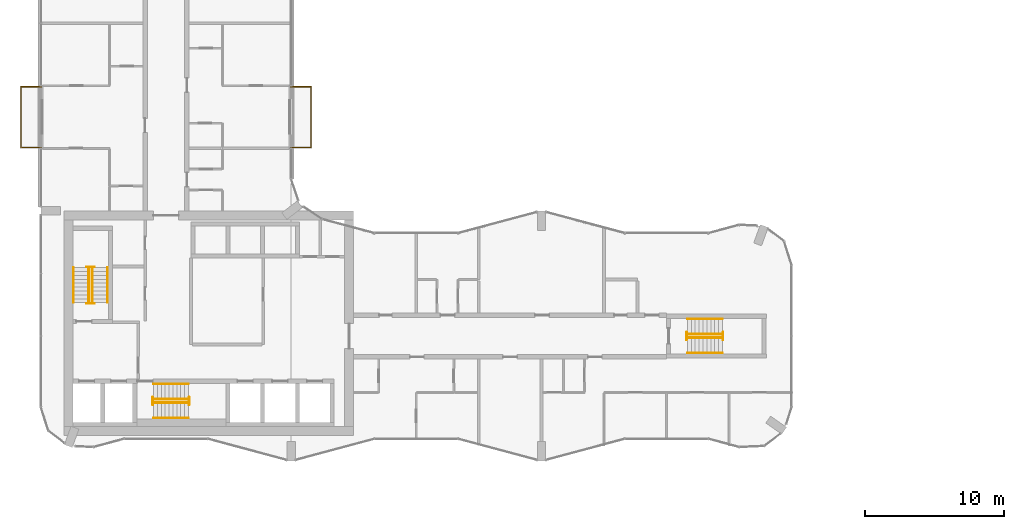
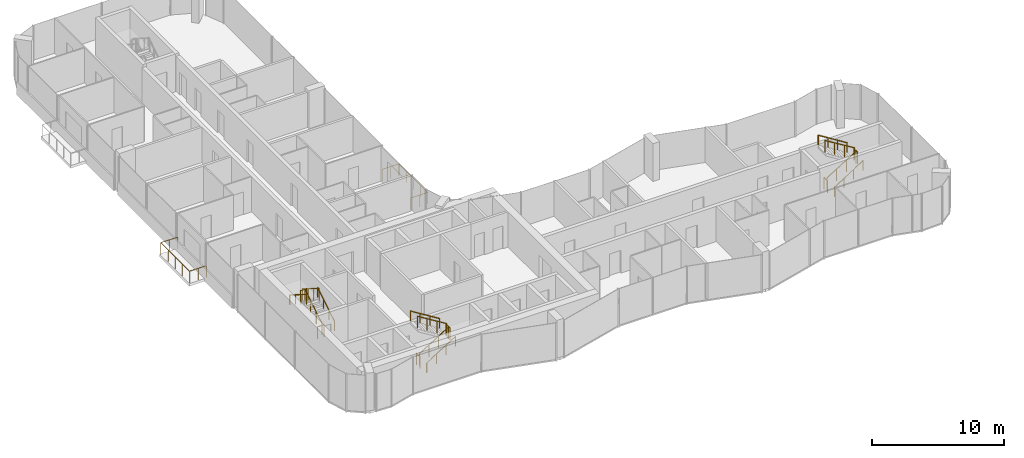
# One storey, part 20 of 22: 20 railings.
"""IFC4 building model written with IfcOpenShell, lengths in metres."""

import ifcopenshell
import ifcopenshell.guid

model = None  # the IFC model being written
_history = None  # IfcOwnerHistory: only IFC2X3 demands one
_inside = {}  # id of a spatial element -> (the spatial element, [elements in it])
_under = {}  # id of a project, library or spatial element -> (it, [spatial elements below it])
_declared = {}  # id of a project -> (the project, [libraries it declares])
_typed = {}  # id of a type object -> (the type object, [elements of that type])
_made_of = {}  # id of a material, layer set ... -> (it, [elements and type objects made of it])


def new_model(schema):
    """Start an empty IFC model of exactly this schema.

    Asked for "IFC4X3", IfcOpenShell would pick the latest addendum, in which some entities
    have other attributes; the version numbers below select the first issue.
    IFC2X3 requires an IfcOwnerHistory on every rooted entity: one is made here for all.
    """
    global model, _history
    if schema == "IFC4X3":
        model = ifcopenshell.file(schema_version=(4, 3, 0, 0))
    else:
        model = ifcopenshell.file(schema=schema)
    _inside.clear()
    _under.clear()
    _declared.clear()
    _typed.clear()
    _made_of.clear()
    _history = None
    if model.schema == "IFC2X3":
        org = make("IfcOrganization", Name="unknown")
        user = make(
            "IfcPersonAndOrganization",
            ThePerson=make("IfcPerson", FamilyName="unknown"),
            TheOrganization=org,
        )
        app = make(
            "IfcApplication",
            ApplicationDeveloper=org,
            Version="unknown",
            ApplicationFullName="unknown",
            ApplicationIdentifier="unknown",
        )
        _history = make(
            "IfcOwnerHistory",
            OwningUser=user,
            OwningApplication=app,
            ChangeAction="ADDED",
            CreationDate=0,
        )
    return model


def make(cls, **values):
    """One entity of the class cls with the attributes given. An attribute that is None is left unset."""
    return model.create_entity(
        cls, **{name: value for name, value in values.items() if value is not None}
    )


def rooted(cls, **values):
    """An entity with a GlobalId (a new one), such as an element, a storey or a relation."""
    return make(cls, GlobalId=ifcopenshell.guid.new(), OwnerHistory=_history, **values)


def si_unit(unit_type, name, prefix=None):
    """IfcSIUnit, for example si_unit("LENGTHUNIT", "METRE", prefix="MILLI")."""
    return make("IfcSIUnit", UnitType=unit_type, Prefix=prefix, Name=name)


def assignment(units):
    """IfcUnitAssignment: the units of a project."""
    return None if units is None else make("IfcUnitAssignment", Units=units)


def point(xyz):
    """IfcCartesianPoint."""
    return None if xyz is None else make("IfcCartesianPoint", Coordinates=xyz)


def direction(xyz):
    """IfcDirection."""
    return None if xyz is None else make("IfcDirection", DirectionRatios=xyz)


def frame(location, z_axis=None, x_axis=None):
    """IfcAxis2Placement3D, a coordinate frame: its origin and axes. An axis left out is left unset."""
    return make(
        "IfcAxis2Placement3D",
        Location=point(location),
        Axis=direction(z_axis),
        RefDirection=direction(x_axis),
    )


def frame_2d(location, x_axis=None):
    """IfcAxis2Placement2D, a coordinate frame in the plane: its origin and x axis."""
    return make(
        "IfcAxis2Placement2D", Location=point(location), RefDirection=direction(x_axis)
    )


def origin():
    """The frame at (0, 0, 0) with its axes left unset."""
    return frame((0.0, 0.0, 0.0))


def origin_2d():
    """The frame at (0, 0) in the plane with its x axis left unset."""
    return frame_2d((0.0, 0.0))


def place(relative_to, where):
    """IfcLocalPlacement: puts the frame where relative to a parent placement (None: the world)."""
    return make(
        "IfcLocalPlacement", PlacementRelTo=relative_to, RelativePlacement=where
    )


def context(
    kind, dimensions, precision=None, world=None, true_north=None, identifier=None
):
    """IfcGeometricRepresentationContext, for example the 3D "Model" context."""
    return make(
        "IfcGeometricRepresentationContext",
        ContextIdentifier=identifier,
        ContextType=kind,
        CoordinateSpaceDimension=dimensions,
        Precision=precision,
        WorldCoordinateSystem=world,
        TrueNorth=true_north,
    )


def subcontext(parent, identifier, kind, view, scale=None):
    """IfcGeometricRepresentationSubContext, for example "Body" below "Model"."""
    return make(
        "IfcGeometricRepresentationSubContext",
        ContextIdentifier=identifier,
        ContextType=kind,
        ParentContext=parent,
        TargetScale=scale,
        TargetView=view,
    )


def project(units=None, contexts=None):
    """IfcProject with its units and contexts."""
    return rooted(
        "IfcProject",
        Name="project",
        RepresentationContexts=contexts,
        UnitsInContext=assignment(units),
    )


def spatial(cls, under=None, at=None, **own):
    """A site, building, storey or space (cls), placed at a placement, below another one or the project."""
    s = rooted(cls, ObjectPlacement=at, **own)
    if under is not None:
        _under.setdefault(under.id(), (under, []))[1].append(s)
    return s


def profile(cls, at=None, kind="AREA", **sizes):
    """A parametric profile (cls). Its sizes go by their IFC names, for example OverallWidth=200.0."""
    return make(cls, ProfileType=kind, Position=at, **sizes)


def circle(**sizes):
    """IfcCircleProfileDef."""
    return profile("IfcCircleProfileDef", **sizes)


def extrude(swept, where, along, depth):
    """IfcExtrudedAreaSolid: the profile swept, set in the frame where, extruded along a direction by depth."""
    return make(
        "IfcExtrudedAreaSolid",
        SweptArea=swept,
        Position=where,
        ExtrudedDirection=direction(along),
        Depth=depth,
    )


def shape(context_of_items, identifier, shape_type, items):
    """IfcShapeRepresentation: the items that make up one representation, for example the "Body"."""
    return make(
        "IfcShapeRepresentation",
        ContextOfItems=context_of_items,
        RepresentationIdentifier=identifier,
        RepresentationType=shape_type,
        Items=items,
    )


def material(Name=None, Category=None):
    """IfcMaterial."""
    return make("IfcMaterial", Name=Name, Category=Category)


def made_of(thing, what):
    """Note that an element or type object is made of a material, layer set ...; save() writes the relation."""
    if what is not None:
        _made_of.setdefault(what.id(), (what, []))[1].append(thing)
    return thing


def type_object(cls, material=None, **own):
    """A type object (cls), such as IfcWallType, which elements share."""
    return made_of(rooted(cls, **own), material)


def element(
    cls,
    number,
    at=None,
    inside=None,
    cuts=None,
    type_object=None,
    material=None,
    context=None,
    identifier="Body",
    shape_type=None,
    held_by="IfcProductDefinitionShape",
    body=None,
    shapes=None,
    **own,
):
    """One element of the class cls, such as IfcWall. Its Tag is "e" and its number.

    at: its placement. inside: the storey or other place that contains it. cuts: it is an
    opening in that element (IfcRelVoidsElement). A single representation is given by context,
    identifier, shape_type and body (its items); several are given by shapes. held_by: the class
    of the entity that holds the representations. save() writes the other relations.
    """
    e = rooted(cls, Tag="e%d" % number, ObjectPlacement=at, **own)
    if body is not None:
        shapes = [shape(context, identifier, shape_type, body)]
    if shapes is not None:
        e.Representation = make(held_by, Representations=shapes)
    if inside is not None:
        _inside.setdefault(inside.id(), (inside, []))[1].append(e)
    if cuts is not None:
        rooted(
            "IfcRelVoidsElement", RelatingBuildingElement=cuts, RelatedOpeningElement=e
        )
    if type_object is not None:
        _typed.setdefault(type_object.id(), (type_object, []))[1].append(e)
    return made_of(e, material)


def aggregate(whole, parts):
    """IfcRelAggregates: a whole, such as a stair, and the parts it consists of."""
    return rooted("IfcRelAggregates", RelatingObject=whole, RelatedObjects=parts)


def save(model, path):
    """Write the relations noted so far, then the file.

    IfcRelAggregates (storeys below a building ...), IfcRelContainedInSpatialStructure (elements
    in a storey), IfcRelDefinesByType, IfcRelAssociatesMaterial and IfcRelDeclares: one each for
    every whole, place, type object, material and project.
    """
    for whole, parts in _under.values():
        aggregate(whole, parts)
    for where, things in _inside.values():
        rooted(
            "IfcRelContainedInSpatialStructure",
            RelatedElements=things,
            RelatingStructure=where,
        )
    for kind, things in _typed.values():
        rooted("IfcRelDefinesByType", RelatedObjects=things, RelatingType=kind)
    for what, things in _made_of.values():
        rooted("IfcRelAssociatesMaterial", RelatedObjects=things, RelatingMaterial=what)
    for by, libraries in _declared.values():
        rooted("IfcRelDeclares", RelatingContext=by, RelatedDefinitions=libraries)
    model.write(path)


model = new_model("IFC4")

# Units and contexts
model_context = context("Model", 3, precision=1e-05, world=origin(), true_north=direction((0.0, 1.0)))
body_context = subcontext(model_context, "Body", "Model", "MODEL_VIEW")
ifc_project = project(units=[si_unit("LENGTHUNIT", "METRE"), si_unit("AREAUNIT", "SQUARE_METRE"), si_unit("VOLUMEUNIT", "CUBIC_METRE"), si_unit("PLANEANGLEUNIT", "RADIAN"), si_unit("MASSUNIT", "GRAM", prefix="KILO")], contexts=[model_context])

# Site, building, storey
site_placement = place(None, origin())
site = spatial("IfcSite", under=ifc_project, at=site_placement, CompositionType="ELEMENT")
building_placement = place(site_placement, origin())
building = spatial("IfcBuilding", under=site, at=building_placement, Name="Plateau Cross Towers", CompositionType="ELEMENT")
storey_placement = place(building_placement, frame((0.0, 0.0, 113.300048828125)))
storey = spatial("IfcBuildingStorey", under=building, at=storey_placement, Name="L29", CompositionType="ELEMENT", Elevation=113.300048828125)

# Railings
ifc_material_1 = material(Name="Stainless steel and toughened glass", Category="steel")
railing_type_1 = type_object("IfcRailingType", Name="Glass balustrade guard 1100", PredefinedType="GUARDRAIL", material=ifc_material_1)
railing_1_placement = place(storey_placement, frame((0.050048828125, 22.570068359375, 0.0)))
element("IfcRailing", 1, at=railing_1_placement, inside=storey, type_object=railing_type_1, Name="Guard guard1", PredefinedType="GUARDRAIL", context=body_context, shape_type="SweptSolid", body=[
    extrude(circle(Radius=0.02392578125, at=origin_2d()), frame((0.0, 0.0, 1.076171875), z_axis=(-1.0, 0.0, 0.0), x_axis=(0.0, -1.0, 0.0)), (0.0, 0.0, 1.0), 1.47998046875),
    extrude(circle(Radius=0.02392578125, at=origin_2d()), frame((-1.47998046875, 0.0, 1.076171875), z_axis=(0.0, 1.0, 0.0), x_axis=(-1.0, 0.0, 0.0)), (0.0, 0.0, 1.0), 4.35986328125),
    extrude(circle(Radius=0.02392578125, at=origin_2d()), frame((-1.47998046875, 4.35986328125, 1.076171875), z_axis=(1.0, 0.0, 0.0), x_axis=(0.0, 1.0, 0.0)), (0.0, 0.0, 1.0), 1.47998046875),
    extrude(circle(Radius=0.02099609375, at=origin_2d()), origin(), (0.0, 0.0, 1.0), 1.052001953125),
    extrude(circle(Radius=0.02099609375, at=origin_2d()), frame((-0.739990234375, 0.0, 0.0)), (0.0, 0.0, 1.0), 1.052001953125),
    extrude(circle(Radius=0.02099609375, at=origin_2d()), frame((-1.47998046875, 0.0, 0.0)), (0.0, 0.0, 1.0), 1.052001953125),
    extrude(circle(Radius=0.02099609375, at=origin_2d()), frame((-1.47998046875, 1.08984375, 0.0)), (0.0, 0.0, 1.0), 1.052001953125),
    extrude(circle(Radius=0.02099609375, at=origin_2d()), frame((-1.47998046875, 2.179931640625, 0.0)), (0.0, 0.0, 1.0), 1.052001953125),
    extrude(circle(Radius=0.02099609375, at=origin_2d()), frame((-1.47998046875, 3.27001953125, 0.0)), (0.0, 0.0, 1.0), 1.052001953125),
    extrude(circle(Radius=0.02099609375, at=origin_2d()), frame((-1.47998046875, 4.35986328125, 0.0)), (0.0, 0.0, 1.0), 1.052001953125),
    extrude(circle(Radius=0.02099609375, at=origin_2d()), frame((-0.739990234375, 4.35986328125, 0.0)), (0.0, 0.0, 1.0), 1.052001953125),
    extrude(circle(Radius=0.02099609375, at=origin_2d()), frame((0.0, 4.35986328125, 0.0)), (0.0, 0.0, 1.0), 1.052001953125),
])
railing_2_placement = place(storey_placement, frame((17.949951171875, 26.929931640625, 0.0)))
element("IfcRailing", 2, at=railing_2_placement, inside=storey, type_object=railing_type_1, Name="Guard guard1", PredefinedType="GUARDRAIL", context=body_context, shape_type="SweptSolid", body=[
    extrude(circle(Radius=0.02392578125, at=origin_2d()), frame((0.0, 0.0, 1.076171875), z_axis=(1.0, 0.0, 0.0), x_axis=(0.0, 1.0, 0.0)), (0.0, 0.0, 1.0), 1.47998046875),
    extrude(circle(Radius=0.02392578125, at=origin_2d()), frame((1.47998046875, 0.0, 1.076171875), z_axis=(0.0, -1.0, 0.0), x_axis=(1.0, 0.0, 0.0)), (0.0, 0.0, 1.0), 4.35986328125),
    extrude(circle(Radius=0.02392578125, at=origin_2d()), frame((1.47998046875, -4.35986328125, 1.076171875), z_axis=(-1.0, 0.0, 0.0), x_axis=(0.0, -1.0, 0.0)), (0.0, 0.0, 1.0), 1.47998046875),
    extrude(circle(Radius=0.02099609375, at=origin_2d()), origin(), (0.0, 0.0, 1.0), 1.052001953125),
    extrude(circle(Radius=0.02099609375, at=origin_2d()), frame((0.739990234375, 0.0, 0.0)), (0.0, 0.0, 1.0), 1.052001953125),
    extrude(circle(Radius=0.02099609375, at=origin_2d()), frame((1.47998046875, 0.0, 0.0)), (0.0, 0.0, 1.0), 1.052001953125),
    extrude(circle(Radius=0.02099609375, at=origin_2d()), frame((1.47998046875, -1.08984375, 0.0)), (0.0, 0.0, 1.0), 1.052001953125),
    extrude(circle(Radius=0.02099609375, at=origin_2d()), frame((1.47998046875, -2.179931640625, 0.0)), (0.0, 0.0, 1.0), 1.052001953125),
    extrude(circle(Radius=0.02099609375, at=origin_2d()), frame((1.47998046875, -3.27001953125, 0.0)), (0.0, 0.0, 1.0), 1.052001953125),
    extrude(circle(Radius=0.02099609375, at=origin_2d()), frame((1.47998046875, -4.35986328125, 0.0)), (0.0, 0.0, 1.0), 1.052001953125),
    extrude(circle(Radius=0.02099609375, at=origin_2d()), frame((0.739990234375, -4.35986328125, 0.0)), (0.0, 0.0, 1.0), 1.052001953125),
    extrude(circle(Radius=0.02099609375, at=origin_2d()), frame((0.0, -4.35986328125, 0.0)), (0.0, 0.0, 1.0), 1.052001953125),
])
railing_type_2 = type_object("IfcRailingType", Name="RL-GUARD-1100", PredefinedType="GUARDRAIL", material=ifc_material_1)
railing_3_placement = place(storey_placement, frame((3.699951171875, 11.39990234375, 0.175048828125)))
element("IfcRailing", 3, at=railing_3_placement, inside=storey, type_object=railing_type_2, Name="L29 ST-1 stair guard 1", PredefinedType="GUARDRAIL", context=body_context, shape_type="SweptSolid", body=[
    extrude(circle(Radius=0.02392578125, at=origin_2d()), frame((0.0, 0.0, 1.076171875), z_axis=(0.0, 0.848007534815, 0.529984170421), x_axis=(-1.0, 0.0, 0.0)), (0.0, 0.0, 1.0), 2.9716796875),
    extrude(circle(Radius=0.02099609375, at=origin_2d()), origin(), (0.0, 0.0, 1.0), 1.052001953125),
    extrude(circle(Radius=0.02099609375, at=origin_2d()), frame((0.0, 0.840087890625, 0.52490234375)), (0.0, 0.0, 1.0), 1.052001953125),
    extrude(circle(Radius=0.02099609375, at=origin_2d()), frame((0.0, 1.679931640625, 1.050048828125)), (0.0, 0.0, 1.0), 1.052001953125),
    extrude(circle(Radius=0.02099609375, at=origin_2d()), frame((0.0, 2.52001953125, 1.574951171875)), (0.0, 0.0, 1.0), 1.052001953125),
])
railing_4_placement = place(storey_placement, frame((3.85009765625, 13.969970703125, 1.75)))
element("IfcRailing", 4, at=railing_4_placement, inside=storey, type_object=railing_type_2, Name="L29 ST-1 stair guard 2", PredefinedType="GUARDRAIL", context=body_context, shape_type="SweptSolid", body=[
    extrude(circle(Radius=0.02392578125, at=origin_2d()), frame((0.0, 0.0, 1.076171875), z_axis=(-1.0, 0.0, 0.0), x_axis=(0.0, -1.0, 0.0)), (0.0, 0.0, 1.0), 0.550048828125),
    extrude(circle(Radius=0.02099609375, at=origin_2d()), origin(), (0.0, 0.0, 1.0), 1.052001953125),
    extrude(circle(Radius=0.02099609375, at=origin_2d()), frame((-0.550048828125, 0.0, 0.0)), (0.0, 0.0, 1.0), 1.052001953125),
])
railing_5_placement = place(storey_placement, frame((3.449951171875, 13.919921875, 1.925048828125)))
element("IfcRailing", 5, at=railing_5_placement, inside=storey, type_object=railing_type_2, Name="L29 ST-1 stair guard 3", PredefinedType="GUARDRAIL", context=body_context, shape_type="SweptSolid", body=[
    extrude(circle(Radius=0.02392578125, at=origin_2d()), frame((0.0, 0.0, 1.076171875), z_axis=(0.0, -0.852616386126, 0.522537365276), x_axis=(1.0, 0.0, 0.0)), (0.0, 0.0, 1.0), 3.01416015625),
    extrude(circle(Radius=0.02099609375, at=origin_2d()), origin(), (0.0, 0.0, 1.0), 1.052001953125),
    extrude(circle(Radius=0.02099609375, at=origin_2d()), frame((0.0, -0.856689453125, 0.52490234375)), (0.0, 0.0, 1.0), 1.052001953125),
    extrude(circle(Radius=0.02099609375, at=origin_2d()), frame((0.0, -1.713134765625, 1.050048828125)), (0.0, 0.0, 1.0), 1.052001953125),
    extrude(circle(Radius=0.02099609375, at=origin_2d()), frame((0.0, -2.56982421875, 1.574951171875)), (0.0, 0.0, 1.0), 1.052001953125),
])
railing_6_placement = place(storey_placement, frame((3.85009765625, 11.35009765625, 0.0)))
element("IfcRailing", 6, at=railing_6_placement, inside=storey, type_object=railing_type_2, Name="L29 ST-1 stair guard 4", PredefinedType="GUARDRAIL", context=body_context, shape_type="SweptSolid", body=[
    extrude(circle(Radius=0.02392578125, at=origin_2d()), frame((0.0, 0.0, 1.076171875), z_axis=(-1.0, 0.0, 0.0), x_axis=(0.0, -1.0, 0.0)), (0.0, 0.0, 1.0), 0.550048828125),
    extrude(circle(Radius=0.02099609375, at=origin_2d()), origin(), (0.0, 0.0, 1.0), 1.052001953125),
    extrude(circle(Radius=0.02099609375, at=origin_2d()), frame((-0.550048828125, 0.0, 0.0)), (0.0, 0.0, 1.0), 1.052001953125),
])
railing_7_placement = place(storey_placement, frame((8.10009765625, 4.199951171875, 0.175048828125)))
element("IfcRailing", 7, at=railing_7_placement, inside=storey, type_object=railing_type_2, Name="L29 ST-2 stair guard 1", PredefinedType="GUARDRAIL", context=body_context, shape_type="SweptSolid", body=[
    extrude(circle(Radius=0.02392578125, at=origin_2d()), frame((0.0, 0.0, 1.076171875), z_axis=(0.848007534815, 0.0, 0.529984170421), x_axis=(0.0, 1.0, 0.0)), (0.0, 0.0, 1.0), 2.9716796875),
    extrude(circle(Radius=0.02099609375, at=origin_2d()), origin(), (0.0, 0.0, 1.0), 1.052001953125),
    extrude(circle(Radius=0.02099609375, at=origin_2d()), frame((0.840087890625, 0.0, 0.52490234375)), (0.0, 0.0, 1.0), 1.052001953125),
    extrude(circle(Radius=0.02099609375, at=origin_2d()), frame((1.679931640625, 0.0, 1.050048828125)), (0.0, 0.0, 1.0), 1.052001953125),
    extrude(circle(Radius=0.02099609375, at=origin_2d()), frame((2.52001953125, 0.0, 1.574951171875)), (0.0, 0.0, 1.0), 1.052001953125),
])
railing_8_placement = place(storey_placement, frame((10.669921875, 4.050048828125, 1.75)))
element("IfcRailing", 8, at=railing_8_placement, inside=storey, type_object=railing_type_2, Name="L29 ST-2 stair guard 2", PredefinedType="GUARDRAIL", context=body_context, shape_type="SweptSolid", body=[
    extrude(circle(Radius=0.02392578125, at=origin_2d()), frame((0.0, 0.0, 1.076171875), z_axis=(0.0, 1.0, 0.0), x_axis=(-1.0, 0.0, 0.0)), (0.0, 0.0, 1.0), 0.550048828125),
    extrude(circle(Radius=0.02099609375, at=origin_2d()), origin(), (0.0, 0.0, 1.0), 1.052001953125),
    extrude(circle(Radius=0.02099609375, at=origin_2d()), frame((0.0, 0.550048828125, 0.0)), (0.0, 0.0, 1.0), 1.052001953125),
])
railing_9_placement = place(storey_placement, frame((10.6201171875, 4.449951171875, 1.925048828125)))
element("IfcRailing", 9, at=railing_9_placement, inside=storey, type_object=railing_type_2, Name="L29 ST-2 stair guard 3", PredefinedType="GUARDRAIL", context=body_context, shape_type="SweptSolid", body=[
    extrude(circle(Radius=0.02392578125, at=origin_2d()), frame((0.0, 0.0, 1.076171875), z_axis=(-0.852638500773, 0.0, 0.522501279423), x_axis=(0.0, -1.0, 0.0)), (0.0, 0.0, 1.0), 3.01416015625),
    extrude(circle(Radius=0.02099609375, at=origin_2d()), origin(), (0.0, 0.0, 1.0), 1.052001953125),
    extrude(circle(Radius=0.02099609375, at=origin_2d()), frame((-0.856689453125, 0.0, 0.52490234375)), (0.0, 0.0, 1.0), 1.052001953125),
    extrude(circle(Radius=0.02099609375, at=origin_2d()), frame((-1.71337890625, 0.0, 1.050048828125)), (0.0, 0.0, 1.0), 1.052001953125),
    extrude(circle(Radius=0.02099609375, at=origin_2d()), frame((-2.570068359375, 0.0, 1.574951171875)), (0.0, 0.0, 1.0), 1.052001953125),
])
railing_10_placement = place(storey_placement, frame((8.050048828125, 4.050048828125, 0.0)))
element("IfcRailing", 10, at=railing_10_placement, inside=storey, type_object=railing_type_2, Name="L29 ST-2 stair guard 4", PredefinedType="GUARDRAIL", context=body_context, shape_type="SweptSolid", body=[
    extrude(circle(Radius=0.02392578125, at=origin_2d()), frame((0.0, 0.0, 1.076171875), z_axis=(0.0, 1.0, 0.0), x_axis=(-1.0, 0.0, 0.0)), (0.0, 0.0, 1.0), 0.550048828125),
    extrude(circle(Radius=0.02099609375, at=origin_2d()), origin(), (0.0, 0.0, 1.0), 1.052001953125),
    extrude(circle(Radius=0.02099609375, at=origin_2d()), frame((0.0, 0.550048828125, 0.0)), (0.0, 0.0, 1.0), 1.052001953125),
])
railing_11_placement = place(storey_placement, frame((46.5, 8.875, 0.175048828125)))
element("IfcRailing", 11, at=railing_11_placement, inside=storey, type_object=railing_type_2, Name="L29 ES-E stair guard 1", PredefinedType="GUARDRAIL", context=body_context, shape_type="SweptSolid", body=[
    extrude(circle(Radius=0.02392578125, at=origin_2d()), frame((0.0, 0.0, 1.076171875), z_axis=(0.848007534815, 0.0, 0.529984170421), x_axis=(0.0, 1.0, 0.0)), (0.0, 0.0, 1.0), 2.9716796875),
    extrude(circle(Radius=0.02099609375, at=origin_2d()), origin(), (0.0, 0.0, 1.0), 1.052001953125),
    extrude(circle(Radius=0.02099609375, at=origin_2d()), frame((0.840087890625, 0.0, 0.52490234375)), (0.0, 0.0, 1.0), 1.052001953125),
    extrude(circle(Radius=0.02099609375, at=origin_2d()), frame((1.679931640625, 0.0, 1.050048828125)), (0.0, 0.0, 1.0), 1.052001953125),
    extrude(circle(Radius=0.02099609375, at=origin_2d()), frame((2.52001953125, 0.0, 1.574951171875)), (0.0, 0.0, 1.0), 1.052001953125),
])
railing_12_placement = place(storey_placement, frame((49.070068359375, 8.72509765625, 1.75)))
element("IfcRailing", 12, at=railing_12_placement, inside=storey, type_object=railing_type_2, Name="L29 ES-E stair guard 2", PredefinedType="GUARDRAIL", context=body_context, shape_type="SweptSolid", body=[
    extrude(circle(Radius=0.02392578125, at=origin_2d()), frame((0.0, 0.0, 1.076171875), z_axis=(0.0, 1.0, 0.0), x_axis=(-1.0, 0.0, 0.0)), (0.0, 0.0, 1.0), 0.5498046875),
    extrude(circle(Radius=0.02099609375, at=origin_2d()), origin(), (0.0, 0.0, 1.0), 1.052001953125),
    extrude(circle(Radius=0.02099609375, at=origin_2d()), frame((0.0, 0.5498046875, 0.0)), (0.0, 0.0, 1.0), 1.052001953125),
])
railing_13_placement = place(storey_placement, frame((49.02001953125, 9.125, 1.925048828125)))
element("IfcRailing", 13, at=railing_13_placement, inside=storey, type_object=railing_type_2, Name="L29 ES-E stair guard 3", PredefinedType="GUARDRAIL", context=body_context, shape_type="SweptSolid", body=[
    extrude(circle(Radius=0.02392578125, at=origin_2d()), frame((0.0, 0.0, 1.076171875), z_axis=(-0.852638500773, 0.0, 0.522501279423), x_axis=(0.0, -1.0, 0.0)), (0.0, 0.0, 1.0), 3.01416015625),
    extrude(circle(Radius=0.02099609375, at=origin_2d()), origin(), (0.0, 0.0, 1.0), 1.052001953125),
    extrude(circle(Radius=0.02099609375, at=origin_2d()), frame((-0.856689453125, 0.0, 0.52490234375)), (0.0, 0.0, 1.0), 1.052001953125),
    extrude(circle(Radius=0.02099609375, at=origin_2d()), frame((-1.71337890625, 0.0, 1.050048828125)), (0.0, 0.0, 1.0), 1.052001953125),
    extrude(circle(Radius=0.02099609375, at=origin_2d()), frame((-2.570068359375, 0.0, 1.574951171875)), (0.0, 0.0, 1.0), 1.052001953125),
])
railing_14_placement = place(storey_placement, frame((46.449951171875, 8.72509765625, 0.0)))
element("IfcRailing", 14, at=railing_14_placement, inside=storey, type_object=railing_type_2, Name="L29 ES-E stair guard 4", PredefinedType="GUARDRAIL", context=body_context, shape_type="SweptSolid", body=[
    extrude(circle(Radius=0.02392578125, at=origin_2d()), frame((0.0, 0.0, 1.076171875), z_axis=(0.0, 1.0, 0.0), x_axis=(-1.0, 0.0, 0.0)), (0.0, 0.0, 1.0), 0.5498046875),
    extrude(circle(Radius=0.02099609375, at=origin_2d()), origin(), (0.0, 0.0, 1.0), 1.052001953125),
    extrude(circle(Radius=0.02099609375, at=origin_2d()), frame((0.0, 0.5498046875, 0.0)), (0.0, 0.0, 1.0), 1.052001953125),
])
ifc_material_2 = material(Name="Black anodised aluminium", Category="aluminium")
railing_type_3 = type_object("IfcRailingType", Name="RL-HANDRAIL-900", PredefinedType="HANDRAIL", material=ifc_material_2)
railing_15_placement = place(storey_placement, frame((4.800048828125, 11.39990234375, 0.175048828125)))
element("IfcRailing", 15, at=railing_15_placement, inside=storey, type_object=railing_type_3, Name="L29 ST-1 stair handrail 1", PredefinedType="HANDRAIL", context=body_context, shape_type="SweptSolid", body=[
    extrude(circle(Radius=0.02392578125, at=origin_2d()), frame((0.0, 0.0, 0.8759765625), z_axis=(0.0, 0.848007534815, 0.529984170421), x_axis=(-1.0, 0.0, 0.0)), (0.0, 0.0, 1.0), 2.9716796875),
    extrude(circle(Radius=0.02099609375, at=origin_2d()), origin(), (0.0, 0.0, 1.0), 0.851806640625),
    extrude(circle(Radius=0.02099609375, at=origin_2d()), frame((0.0, 0.840087890625, 0.52490234375)), (0.0, 0.0, 1.0), 0.851806640625),
    extrude(circle(Radius=0.02099609375, at=origin_2d()), frame((0.0, 1.679931640625, 1.050048828125)), (0.0, 0.0, 1.0), 0.851806640625),
    extrude(circle(Radius=0.02099609375, at=origin_2d()), frame((0.0, 2.52001953125, 1.574951171875)), (0.0, 0.0, 1.0), 0.851806640625),
])
railing_16_placement = place(storey_placement, frame((2.35009765625, 13.919921875, 1.925048828125)))
element("IfcRailing", 16, at=railing_16_placement, inside=storey, type_object=railing_type_3, Name="L29 ST-1 stair handrail 2", PredefinedType="HANDRAIL", context=body_context, shape_type="SweptSolid", body=[
    extrude(circle(Radius=0.02392578125, at=origin_2d()), frame((0.0, 0.0, 0.8759765625), z_axis=(0.0, -0.848007534815, 0.529984170421), x_axis=(1.0, 0.0, 0.0)), (0.0, 0.0, 1.0), 2.9716796875),
    extrude(circle(Radius=0.02099609375, at=origin_2d()), origin(), (0.0, 0.0, 1.0), 0.851806640625),
    extrude(circle(Radius=0.02099609375, at=origin_2d()), frame((0.0, -0.840087890625, 0.52490234375)), (0.0, 0.0, 1.0), 0.851806640625),
    extrude(circle(Radius=0.02099609375, at=origin_2d()), frame((0.0, -1.679931640625, 1.050048828125)), (0.0, 0.0, 1.0), 0.851806640625),
    extrude(circle(Radius=0.02099609375, at=origin_2d()), frame((0.0, -2.52001953125, 1.574951171875)), (0.0, 0.0, 1.0), 0.851806640625),
])
railing_17_placement = place(storey_placement, frame((8.10009765625, 3.10009765625, 0.175048828125)))
element("IfcRailing", 17, at=railing_17_placement, inside=storey, type_object=railing_type_3, Name="L29 ST-2 stair handrail 1", PredefinedType="HANDRAIL", context=body_context, shape_type="SweptSolid", body=[
    extrude(circle(Radius=0.02392578125, at=origin_2d()), frame((0.0, 0.0, 0.8759765625), z_axis=(0.848007534815, 0.0, 0.529984170421), x_axis=(0.0, 1.0, 0.0)), (0.0, 0.0, 1.0), 2.9716796875),
    extrude(circle(Radius=0.02099609375, at=origin_2d()), origin(), (0.0, 0.0, 1.0), 0.851806640625),
    extrude(circle(Radius=0.02099609375, at=origin_2d()), frame((0.840087890625, 0.0, 0.52490234375)), (0.0, 0.0, 1.0), 0.851806640625),
    extrude(circle(Radius=0.02099609375, at=origin_2d()), frame((1.679931640625, 0.0, 1.050048828125)), (0.0, 0.0, 1.0), 0.851806640625),
    extrude(circle(Radius=0.02099609375, at=origin_2d()), frame((2.52001953125, 0.0, 1.574951171875)), (0.0, 0.0, 1.0), 0.851806640625),
])
railing_18_placement = place(storey_placement, frame((10.6201171875, 5.550048828125, 1.925048828125)))
element("IfcRailing", 18, at=railing_18_placement, inside=storey, type_object=railing_type_3, Name="L29 ST-2 stair handrail 2", PredefinedType="HANDRAIL", context=body_context, shape_type="SweptSolid", body=[
    extrude(circle(Radius=0.02392578125, at=origin_2d()), frame((0.0, 0.0, 0.8759765625), z_axis=(-0.848007534815, 0.0, 0.529984170421), x_axis=(0.0, -1.0, 0.0)), (0.0, 0.0, 1.0), 2.9716796875),
    extrude(circle(Radius=0.02099609375, at=origin_2d()), origin(), (0.0, 0.0, 1.0), 0.851806640625),
    extrude(circle(Radius=0.02099609375, at=origin_2d()), frame((-0.840087890625, 0.0, 0.52490234375)), (0.0, 0.0, 1.0), 0.851806640625),
    extrude(circle(Radius=0.02099609375, at=origin_2d()), frame((-1.679931640625, 0.0, 1.050048828125)), (0.0, 0.0, 1.0), 0.851806640625),
    extrude(circle(Radius=0.02099609375, at=origin_2d()), frame((-2.52001953125, 0.0, 1.574951171875)), (0.0, 0.0, 1.0), 0.851806640625),
])
railing_19_placement = place(storey_placement, frame((46.5, 7.77490234375, 0.175048828125)))
element("IfcRailing", 19, at=railing_19_placement, inside=storey, type_object=railing_type_3, Name="L29 ES-E stair handrail 1", PredefinedType="HANDRAIL", context=body_context, shape_type="SweptSolid", body=[
    extrude(circle(Radius=0.02392578125, at=origin_2d()), frame((0.0, 0.0, 0.8759765625), z_axis=(0.848007534815, 0.0, 0.529984170421), x_axis=(0.0, 1.0, 0.0)), (0.0, 0.0, 1.0), 2.9716796875),
    extrude(circle(Radius=0.02099609375, at=origin_2d()), origin(), (0.0, 0.0, 1.0), 0.851806640625),
    extrude(circle(Radius=0.02099609375, at=origin_2d()), frame((0.840087890625, 0.0, 0.52490234375)), (0.0, 0.0, 1.0), 0.851806640625),
    extrude(circle(Radius=0.02099609375, at=origin_2d()), frame((1.679931640625, 0.0, 1.050048828125)), (0.0, 0.0, 1.0), 0.851806640625),
    extrude(circle(Radius=0.02099609375, at=origin_2d()), frame((2.52001953125, 0.0, 1.574951171875)), (0.0, 0.0, 1.0), 0.851806640625),
])
railing_20_placement = place(storey_placement, frame((49.02001953125, 10.22509765625, 1.925048828125)))
element("IfcRailing", 20, at=railing_20_placement, inside=storey, type_object=railing_type_3, Name="L29 ES-E stair handrail 2", PredefinedType="HANDRAIL", context=body_context, shape_type="SweptSolid", body=[
    extrude(circle(Radius=0.02392578125, at=origin_2d()), frame((0.0, 0.0, 0.8759765625), z_axis=(-0.848007534815, 0.0, 0.529984170421), x_axis=(0.0, -1.0, 0.0)), (0.0, 0.0, 1.0), 2.9716796875),
    extrude(circle(Radius=0.02099609375, at=origin_2d()), origin(), (0.0, 0.0, 1.0), 0.851806640625),
    extrude(circle(Radius=0.02099609375, at=origin_2d()), frame((-0.840087890625, 0.0, 0.52490234375)), (0.0, 0.0, 1.0), 0.851806640625),
    extrude(circle(Radius=0.02099609375, at=origin_2d()), frame((-1.679931640625, 0.0, 1.050048828125)), (0.0, 0.0, 1.0), 0.851806640625),
    extrude(circle(Radius=0.02099609375, at=origin_2d()), frame((-2.52001953125, 0.0, 1.574951171875)), (0.0, 0.0, 1.0), 0.851806640625),
])

save(model, "model.ifc")
